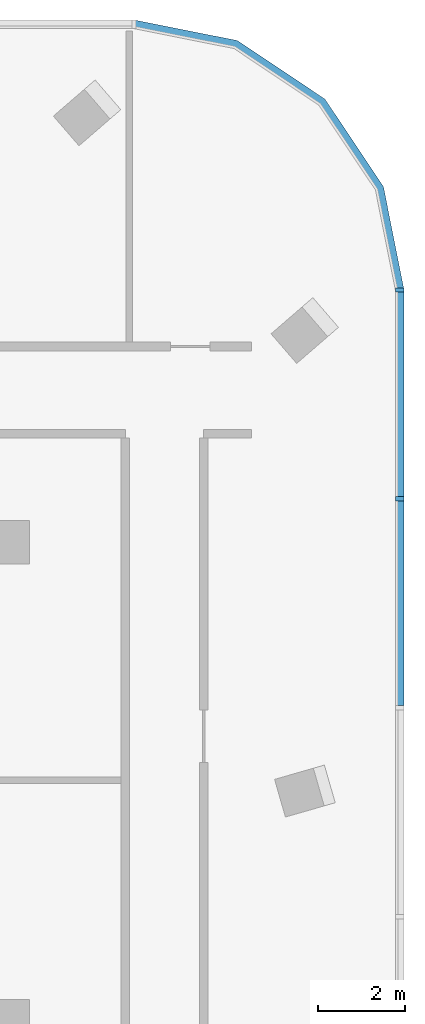
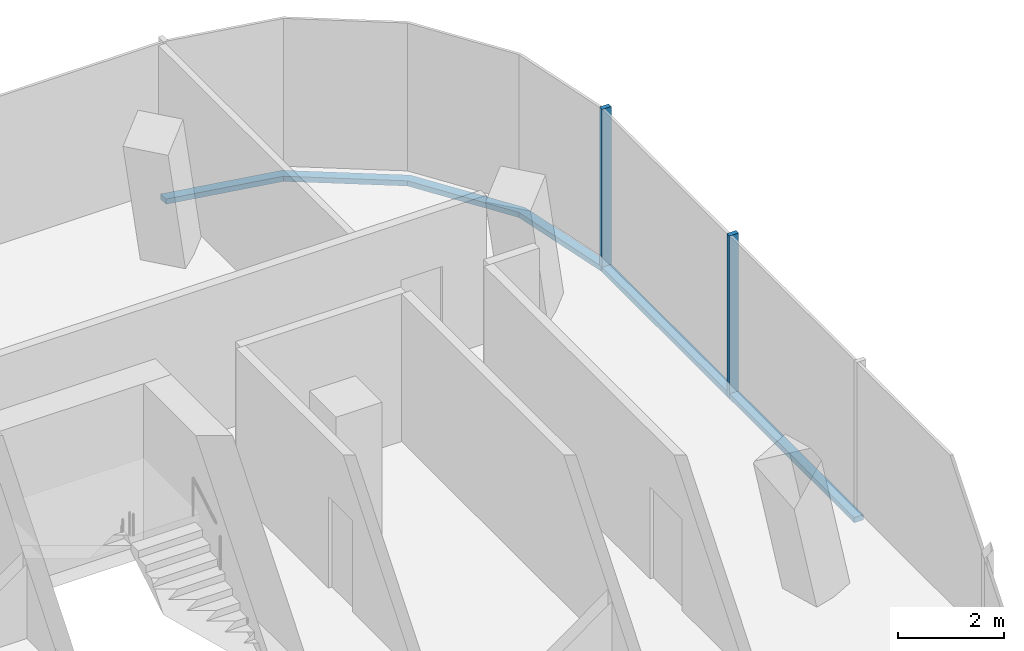
# One storey, part 5 of 11: 5 members, 2 elements without a shape of their own.
"""IFC4 building model written with IfcOpenShell, lengths in metres."""

import ifcopenshell
import ifcopenshell.guid

model = None  # the IFC model being written
_history = None  # IfcOwnerHistory: only IFC2X3 demands one
_inside = {}  # id of a spatial element -> (the spatial element, [elements in it])
_under = {}  # id of a project, library or spatial element -> (it, [spatial elements below it])
_declared = {}  # id of a project -> (the project, [libraries it declares])
_typed = {}  # id of a type object -> (the type object, [elements of that type])
_made_of = {}  # id of a material, layer set ... -> (it, [elements and type objects made of it])


def new_model(schema):
    """Start an empty IFC model of exactly this schema.

    Asked for "IFC4X3", IfcOpenShell would pick the latest addendum, in which some entities
    have other attributes; the version numbers below select the first issue.
    IFC2X3 requires an IfcOwnerHistory on every rooted entity: one is made here for all.
    """
    global model, _history
    if schema == "IFC4X3":
        model = ifcopenshell.file(schema_version=(4, 3, 0, 0))
    else:
        model = ifcopenshell.file(schema=schema)
    _inside.clear()
    _under.clear()
    _declared.clear()
    _typed.clear()
    _made_of.clear()
    _history = None
    if model.schema == "IFC2X3":
        org = make("IfcOrganization", Name="unknown")
        user = make(
            "IfcPersonAndOrganization",
            ThePerson=make("IfcPerson", FamilyName="unknown"),
            TheOrganization=org,
        )
        app = make(
            "IfcApplication",
            ApplicationDeveloper=org,
            Version="unknown",
            ApplicationFullName="unknown",
            ApplicationIdentifier="unknown",
        )
        _history = make(
            "IfcOwnerHistory",
            OwningUser=user,
            OwningApplication=app,
            ChangeAction="ADDED",
            CreationDate=0,
        )
    return model


def make(cls, **values):
    """One entity of the class cls with the attributes given. An attribute that is None is left unset."""
    return model.create_entity(
        cls, **{name: value for name, value in values.items() if value is not None}
    )


def rooted(cls, **values):
    """An entity with a GlobalId (a new one), such as an element, a storey or a relation."""
    return make(cls, GlobalId=ifcopenshell.guid.new(), OwnerHistory=_history, **values)


def si_unit(unit_type, name, prefix=None):
    """IfcSIUnit, for example si_unit("LENGTHUNIT", "METRE", prefix="MILLI")."""
    return make("IfcSIUnit", UnitType=unit_type, Prefix=prefix, Name=name)


def assignment(units):
    """IfcUnitAssignment: the units of a project."""
    return None if units is None else make("IfcUnitAssignment", Units=units)


def point(xyz):
    """IfcCartesianPoint."""
    return None if xyz is None else make("IfcCartesianPoint", Coordinates=xyz)


def direction(xyz):
    """IfcDirection."""
    return None if xyz is None else make("IfcDirection", DirectionRatios=xyz)


def frame(location, z_axis=None, x_axis=None):
    """IfcAxis2Placement3D, a coordinate frame: its origin and axes. An axis left out is left unset."""
    return make(
        "IfcAxis2Placement3D",
        Location=point(location),
        Axis=direction(z_axis),
        RefDirection=direction(x_axis),
    )


def frame_2d(location, x_axis=None):
    """IfcAxis2Placement2D, a coordinate frame in the plane: its origin and x axis."""
    return make(
        "IfcAxis2Placement2D", Location=point(location), RefDirection=direction(x_axis)
    )


def origin():
    """The frame at (0, 0, 0) with its axes left unset."""
    return frame((0.0, 0.0, 0.0))


def origin_2d():
    """The frame at (0, 0) in the plane with its x axis left unset."""
    return frame_2d((0.0, 0.0))


def place(relative_to, where):
    """IfcLocalPlacement: puts the frame where relative to a parent placement (None: the world)."""
    return make(
        "IfcLocalPlacement", PlacementRelTo=relative_to, RelativePlacement=where
    )


def context(
    kind, dimensions, precision=None, world=None, true_north=None, identifier=None
):
    """IfcGeometricRepresentationContext, for example the 3D "Model" context."""
    return make(
        "IfcGeometricRepresentationContext",
        ContextIdentifier=identifier,
        ContextType=kind,
        CoordinateSpaceDimension=dimensions,
        Precision=precision,
        WorldCoordinateSystem=world,
        TrueNorth=true_north,
    )


def subcontext(parent, identifier, kind, view, scale=None):
    """IfcGeometricRepresentationSubContext, for example "Body" below "Model"."""
    return make(
        "IfcGeometricRepresentationSubContext",
        ContextIdentifier=identifier,
        ContextType=kind,
        ParentContext=parent,
        TargetScale=scale,
        TargetView=view,
    )


def project(units=None, contexts=None):
    """IfcProject with its units and contexts."""
    return rooted(
        "IfcProject",
        Name="project",
        RepresentationContexts=contexts,
        UnitsInContext=assignment(units),
    )


def spatial(cls, under=None, at=None, **own):
    """A site, building, storey or space (cls), placed at a placement, below another one or the project."""
    s = rooted(cls, ObjectPlacement=at, **own)
    if under is not None:
        _under.setdefault(under.id(), (under, []))[1].append(s)
    return s


def polyline(points):
    """IfcPolyline through the points."""
    return make("IfcPolyline", Points=[point(p) for p in points])


def profile(cls, at=None, kind="AREA", **sizes):
    """A parametric profile (cls). Its sizes go by their IFC names, for example OverallWidth=200.0."""
    return make(cls, ProfileType=kind, Position=at, **sizes)


def rectangle(**sizes):
    """IfcRectangleProfileDef."""
    return profile("IfcRectangleProfileDef", **sizes)


def outline(outer, holes=None, kind="AREA"):
    """IfcArbitraryClosedProfileDef: a profile drawn as a closed curve; with holes, ...WithVoids."""
    if holes is None:
        return make("IfcArbitraryClosedProfileDef", ProfileType=kind, OuterCurve=outer)
    return make(
        "IfcArbitraryProfileDefWithVoids",
        ProfileType=kind,
        OuterCurve=outer,
        InnerCurves=holes,
    )


def extrude(swept, where, along, depth):
    """IfcExtrudedAreaSolid: the profile swept, set in the frame where, extruded along a direction by depth."""
    return make(
        "IfcExtrudedAreaSolid",
        SweptArea=swept,
        Position=where,
        ExtrudedDirection=direction(along),
        Depth=depth,
    )


def shape(context_of_items, identifier, shape_type, items):
    """IfcShapeRepresentation: the items that make up one representation, for example the "Body"."""
    return make(
        "IfcShapeRepresentation",
        ContextOfItems=context_of_items,
        RepresentationIdentifier=identifier,
        RepresentationType=shape_type,
        Items=items,
    )


def material(Name=None, Category=None):
    """IfcMaterial."""
    return make("IfcMaterial", Name=Name, Category=Category)


def material_profile(
    of_material, cross_section, Name=None, Category=None, Priority=None
):
    """IfcMaterialProfile: a cross section and its material."""
    return make(
        "IfcMaterialProfile",
        Name=Name,
        Material=of_material,
        Profile=cross_section,
        Priority=Priority,
        Category=Category,
    )


def profile_set(profiles, Name=None, composite=None):
    """IfcMaterialProfileSet."""
    return make(
        "IfcMaterialProfileSet",
        Name=Name,
        MaterialProfiles=profiles,
        CompositeProfile=composite,
    )


def made_of(thing, what):
    """Note that an element or type object is made of a material, layer set ...; save() writes the relation."""
    if what is not None:
        _made_of.setdefault(what.id(), (what, []))[1].append(thing)
    return thing


def type_object(cls, material=None, **own):
    """A type object (cls), such as IfcWallType, which elements share."""
    return made_of(rooted(cls, **own), material)


def element(
    cls,
    number,
    at=None,
    inside=None,
    cuts=None,
    type_object=None,
    material=None,
    context=None,
    identifier="Body",
    shape_type=None,
    held_by="IfcProductDefinitionShape",
    body=None,
    shapes=None,
    **own,
):
    """One element of the class cls, such as IfcWall. Its Tag is "e" and its number.

    at: its placement. inside: the storey or other place that contains it. cuts: it is an
    opening in that element (IfcRelVoidsElement). A single representation is given by context,
    identifier, shape_type and body (its items); several are given by shapes. held_by: the class
    of the entity that holds the representations. save() writes the other relations.
    """
    e = rooted(cls, Tag="e%d" % number, ObjectPlacement=at, **own)
    if body is not None:
        shapes = [shape(context, identifier, shape_type, body)]
    if shapes is not None:
        e.Representation = make(held_by, Representations=shapes)
    if inside is not None:
        _inside.setdefault(inside.id(), (inside, []))[1].append(e)
    if cuts is not None:
        rooted(
            "IfcRelVoidsElement", RelatingBuildingElement=cuts, RelatedOpeningElement=e
        )
    if type_object is not None:
        _typed.setdefault(type_object.id(), (type_object, []))[1].append(e)
    return made_of(e, material)


def aggregate(whole, parts):
    """IfcRelAggregates: a whole, such as a stair, and the parts it consists of."""
    return rooted("IfcRelAggregates", RelatingObject=whole, RelatedObjects=parts)


def save(model, path):
    """Write the relations noted so far, then the file.

    IfcRelAggregates (storeys below a building ...), IfcRelContainedInSpatialStructure (elements
    in a storey), IfcRelDefinesByType, IfcRelAssociatesMaterial and IfcRelDeclares: one each for
    every whole, place, type object, material and project.
    """
    for whole, parts in _under.values():
        aggregate(whole, parts)
    for where, things in _inside.values():
        rooted(
            "IfcRelContainedInSpatialStructure",
            RelatedElements=things,
            RelatingStructure=where,
        )
    for kind, things in _typed.values():
        rooted("IfcRelDefinesByType", RelatedObjects=things, RelatingType=kind)
    for what, things in _made_of.values():
        rooted("IfcRelAssociatesMaterial", RelatedObjects=things, RelatingMaterial=what)
    for by, libraries in _declared.values():
        rooted("IfcRelDeclares", RelatingContext=by, RelatedDefinitions=libraries)
    model.write(path)


model = new_model("IFC4")

# Units and contexts
model_context = context("Model", 3, precision=1e-05, world=origin(), true_north=direction((0.0, 1.0)))
body_context = subcontext(model_context, "Body", "Model", "MODEL_VIEW")
ifc_project = project(units=[si_unit("LENGTHUNIT", "METRE"), si_unit("AREAUNIT", "SQUARE_METRE"), si_unit("VOLUMEUNIT", "CUBIC_METRE"), si_unit("PLANEANGLEUNIT", "RADIAN"), si_unit("MASSUNIT", "GRAM", prefix="KILO")], contexts=[model_context])

# Site, building, storey
site_placement = place(None, origin())
site = spatial("IfcSite", under=ifc_project, at=site_placement, CompositionType="ELEMENT")
building_placement = place(site_placement, origin())
building = spatial("IfcBuilding", under=site, at=building_placement, Name="Mopane Tessera Tower", CompositionType="ELEMENT")
storey_placement = place(building_placement, frame((0.0, 0.0, 333.39990234375)))
storey = spatial("IfcBuildingStorey", under=building, at=storey_placement, Name="L73", CompositionType="ELEMENT", Elevation=333.39990234375)

# Curtain wall, members
ifc_material_1 = material(Name="Aluminium frame", Category="aluminium")
curtain_wall_type = type_object("IfcCurtainWallType", Name="Unitised curtain wall", PredefinedType="NOTDEFINED", material=ifc_material_1)
curtain_wall_1_placement = place(storey_placement, origin())
curtain_wall_1 = element("IfcCurtainWall", 1, at=curtain_wall_1_placement, inside=storey, type_object=curtain_wall_type, Name="e:cw:L73:E:0", PredefinedType="NOTDEFINED")
ifc_material_2 = material(Name="Aluminium frame", Category="aluminium")
ifc_material_profile_1 = material_profile(ifc_material_2, rectangle(XDim=0.10009765625, YDim=0.199951171875, at=origin_2d()))
ifc_profile_set_1 = profile_set([ifc_material_profile_1], Name="Aluminium frame")
member_type_1 = type_object("IfcMemberType", Name="Aluminium mullion 100 x 200", PredefinedType="MULLION", material=ifc_profile_set_1)
member_1_placement = place(storey_placement, frame((26.10009765625, 12.0, -0.349853515625), z_axis=(0.0, 0.0, 1.0), x_axis=(0.0, 1.0, 0.0)))
member_1 = element("IfcMember", 2, at=member_1_placement, type_object=member_type_1, Name="e:cw:L73:E:0:mu6", PredefinedType="MULLION", context=body_context, shape_type="SweptSolid", body=[
    extrude(rectangle(XDim=0.10009765625, YDim=0.199951171875, at=origin_2d()), origin(), (0.0, 0.0, 1.0), 3.75),
])
member_2_placement = place(storey_placement, frame((26.10009765625, 16.800048828125, -0.349853515625), z_axis=(0.0, 0.0, 1.0), x_axis=(0.0, 1.0, 0.0)))
member_2 = element("IfcMember", 3, at=member_2_placement, type_object=member_type_1, Name="e:cw:L73:E:0:mu7", PredefinedType="MULLION", context=body_context, shape_type="SweptSolid", body=[
    extrude(rectangle(XDim=0.10009765625, YDim=0.199951171875, at=origin_2d()), origin(), (0.0, 0.0, 1.0), 3.75),
])
ifc_material_3 = material(Name="Aluminium frame", Category="aluminium")
ifc_material_profile_2 = material_profile(ifc_material_3, rectangle(XDim=0.199951171875, YDim=0.1201171875, at=origin_2d()))
ifc_profile_set_2 = profile_set([ifc_material_profile_2], Name="Aluminium frame")
member_type_2 = type_object("IfcMemberType", Name="Aluminium transom 200 x 120", PredefinedType="USERDEFINED", material=ifc_profile_set_2)
member_3_placement = place(storey_placement, frame((26.10009765625, 7.25, -0.289794921875), z_axis=(0.0, 1.0, 0.0), x_axis=(-1.0, 0.0, 0.0)))
member_3 = element("IfcMember", 4, at=member_3_placement, type_object=member_type_2, Name="e:cw:L73:E:0:tr5", ObjectType="TRANSOM", PredefinedType="USERDEFINED", context=body_context, shape_type="SweptSolid", body=[
    extrude(rectangle(XDim=0.199951171875, YDim=0.1201171875, at=origin_2d()), origin(), (0.0, 0.0, 1.0), 4.699951171875),
])
member_4_placement = place(storey_placement, frame((26.10009765625, 12.050048828125, -0.289794921875), z_axis=(0.0, 1.0, 0.0), x_axis=(-1.0, 0.0, 0.0)))
member_4 = element("IfcMember", 5, at=member_4_placement, type_object=member_type_2, Name="e:cw:L73:E:0:tr6", ObjectType="TRANSOM", PredefinedType="USERDEFINED", context=body_context, shape_type="SweptSolid", body=[
    extrude(rectangle(XDim=0.199951171875, YDim=0.1201171875, at=origin_2d()), origin(), (0.0, 0.0, 1.0), 4.699951171875),
])
aggregate(curtain_wall_1, [member_1, member_2, member_3, member_4])

# Curtain wall, member
curtain_wall_2_placement = place(storey_placement, origin())
curtain_wall_2 = element("IfcCurtainWall", 6, at=curtain_wall_2_placement, inside=storey, type_object=curtain_wall_type, Name="e:cw:L73:CE", PredefinedType="NOTDEFINED")
member_5_placement = place(storey_placement, frame((0.0, 0.0, -0.349853515625)))
member_5 = element("IfcMember", 7, at=member_5_placement, type_object=member_type_2, Name="e:cw:L73:CE:tr", ObjectType="TRANSOM", PredefinedType="USERDEFINED", context=body_context, shape_type="SweptSolid", body=[
    extrude(outline(polyline([(26.0, 16.800048828125), (25.543212890625, 19.09619140625), (24.24267578125, 21.042724609375), (22.296142578125, 22.34326171875), (20.0, 22.800048828125), (20.0, 23.0), (22.37255859375, 22.528076171875), (24.384033203125, 21.18408203125), (25.72802734375, 19.172607421875), (26.199951171875, 16.800048828125), (26.0, 16.800048828125)])), origin(), (0.0, 0.0, 1.0), 0.119873046875),
])
aggregate(curtain_wall_2, [member_5])

save(model, "model.ifc")
